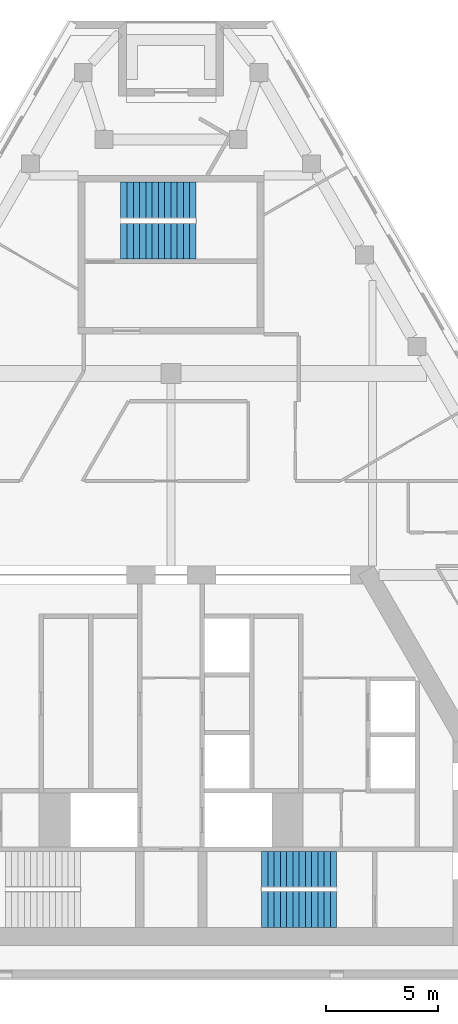
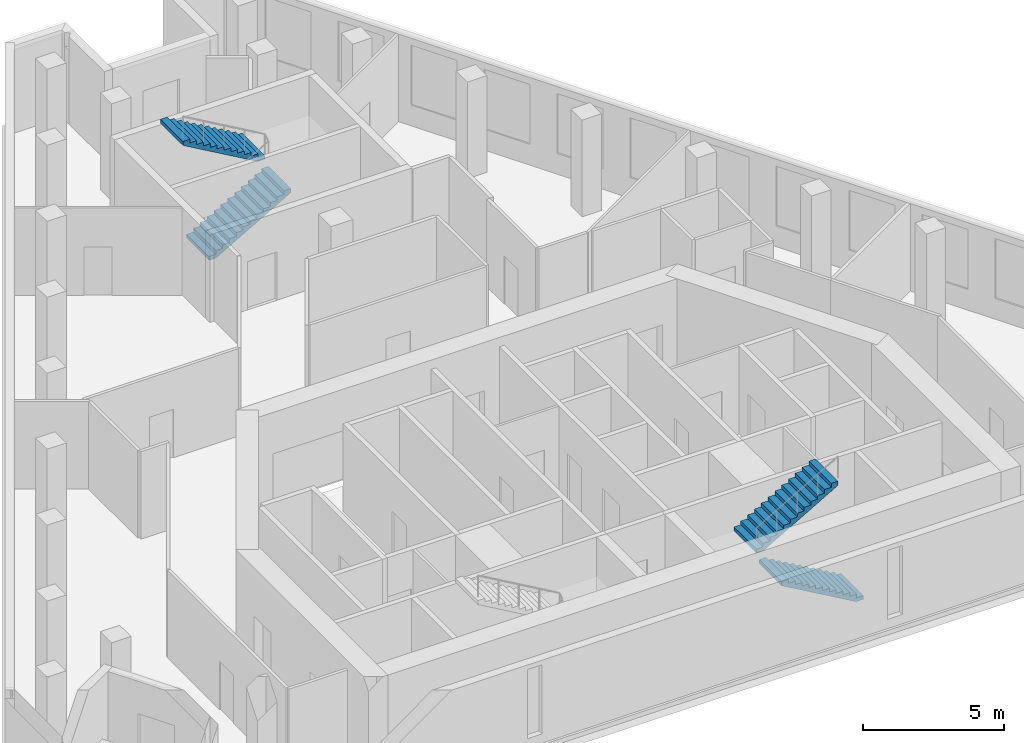
# One storey, part 7 of 8: 4 stair flights, 2 elements without a shape of their own.
"""IFC4 building model written with IfcOpenShell, lengths in metres."""

from ifc_helpers import new_model, si_unit, direction, frame, origin, place, context, subcontext, project, spatial, polyline, outline, extrude, material, type_object, element, aggregate, save


model = new_model("IFC4")

# Units and contexts
model_context = context("Model", 3, precision=1e-05, world=origin(), true_north=direction((0.0, 1.0)))
body_context = subcontext(model_context, "Body", "Model", "MODEL_VIEW")
ifc_project = project(units=[si_unit("LENGTHUNIT", "METRE"), si_unit("AREAUNIT", "SQUARE_METRE"), si_unit("VOLUMEUNIT", "CUBIC_METRE"), si_unit("PLANEANGLEUNIT", "RADIAN"), si_unit("MASSUNIT", "GRAM", prefix="KILO")], contexts=[model_context])

# Site, building, storey
site_placement = place(None, origin())
site = spatial("IfcSite", under=ifc_project, at=site_placement, CompositionType="ELEMENT")
building_placement = place(site_placement, origin())
building = spatial("IfcBuilding", under=site, at=building_placement, Name="Fogline Exchange Tower", CompositionType="ELEMENT")
storey_placement = place(building_placement, frame((0.0, 0.0, 318.300048828125)))
storey = spatial("IfcBuildingStorey", under=building, at=storey_placement, Name="L72", CompositionType="ELEMENT", Elevation=318.300048828125)

# Stair, stair flights
ifc_material = material(Name="Concrete C40", Category="concrete")
stair_type = type_object("IfcStairType", Name="STR26-1615", PredefinedType="HALF_TURN_STAIR", material=ifc_material)
stair_1_placement = place(storey_placement, origin())
stair_1 = element("IfcStair", 1, at=stair_1_placement, inside=storey, type_object=stair_type, Name="Stair ST2", PredefinedType="HALF_TURN_STAIR")
stair_flight_type = type_object("IfcStairFlightType", Name="SF13-1615", PredefinedType="STRAIGHT", material=ifc_material)
stair_flight_1_placement = place(storey_placement, frame((7.39990234375, 3.050048828125, 0.0), z_axis=(0.0, 0.0, 1.0), x_axis=(-1.0, 0.0, 0.0)))
stair_flight_1 = element("IfcStairFlight", 2, at=stair_flight_1_placement, type_object=stair_flight_type, Name="ST2 flight 1", NumberOfRisers=13, NumberOfTreads=12, PredefinedType="STRAIGHT", RiserHeight=0.161538462, TreadLength=0.28, context=body_context, shape_type="SweptSolid", body=[
    extrude(outline(polyline([(0.0, 0.0), (0.0, 0.16162109375), (0.280029296875, 0.16162109375), (0.280029296875, 0.322998046875), (0.56005859375, 0.322998046875), (0.56005859375, 0.484619140625), (0.840087890625, 0.484619140625), (0.840087890625, 0.646240234375), (1.1201171875, 0.646240234375), (1.1201171875, 0.8076171875), (1.39990234375, 0.8076171875), (1.39990234375, 0.96923828125), (1.679931640625, 0.96923828125), (1.679931640625, 1.130859375), (1.9599609375, 1.130859375), (1.9599609375, 1.292236328125), (2.239990234375, 1.292236328125), (2.239990234375, 1.453857421875), (2.52001953125, 1.453857421875), (2.52001953125, 1.615478515625), (2.800048828125, 1.615478515625), (2.800048828125, 1.77685546875), (3.080078125, 1.77685546875), (3.080078125, 1.9384765625), (3.360107421875, 1.9384765625), (3.360107421875, 2.10009765625), (3.360107421875, 1.765380859375), (0.300048828125, 0.0), (0.0, 0.0)])), frame((0.0, 0.800048828125, 0.0), z_axis=(0.0, -1.0, 0.0), x_axis=(1.0, 0.0, 0.0)), (0.0, 0.0, 1.0), 1.60009765625),
])
stair_flight_2_placement = place(storey_placement, frame((4.0400390625, 4.85009765625, 2.099853515625), z_axis=(0.0, 0.0, 1.0), x_axis=(1.0, 0.0, 0.0)))
stair_flight_2 = element("IfcStairFlight", 3, at=stair_flight_2_placement, type_object=stair_flight_type, Name="ST2 flight 2", NumberOfRisers=13, NumberOfTreads=12, PredefinedType="STRAIGHT", RiserHeight=0.161538462, TreadLength=0.28, context=body_context, shape_type="SweptSolid", body=[
    extrude(outline(polyline([(0.0, 0.0), (0.0, 0.16162109375), (0.280029296875, 0.16162109375), (0.280029296875, 0.322998046875), (0.56005859375, 0.322998046875), (0.56005859375, 0.484619140625), (0.840087890625, 0.484619140625), (0.840087890625, 0.646240234375), (1.1201171875, 0.646240234375), (1.1201171875, 0.8076171875), (1.39990234375, 0.8076171875), (1.39990234375, 0.96923828125), (1.679931640625, 0.96923828125), (1.679931640625, 1.130859375), (1.9599609375, 1.130859375), (1.9599609375, 1.292236328125), (2.239990234375, 1.292236328125), (2.239990234375, 1.453857421875), (2.52001953125, 1.453857421875), (2.52001953125, 1.615478515625), (2.800048828125, 1.615478515625), (2.800048828125, 1.77685546875), (3.080078125, 1.77685546875), (3.080078125, 1.9384765625), (3.360107421875, 1.9384765625), (3.360107421875, 2.10009765625), (3.360107421875, 1.765380859375), (0.300048828125, 0.0), (0.0, 0.0)])), frame((0.0, 0.800048828125, 0.0), z_axis=(0.0, -1.0, 0.0), x_axis=(1.0, 0.0, 0.0)), (0.0, 0.0, 1.0), 1.60009765625),
])
aggregate(stair_1, [stair_flight_1, stair_flight_2])

stair_2_placement = place(storey_placement, origin())
stair_2 = element("IfcStair", 4, at=stair_2_placement, inside=storey, type_object=stair_type, Name="Stair ST3", PredefinedType="HALF_TURN_STAIR")
stair_flight_3_placement = place(storey_placement, frame((-2.25, 32.906982421875, 0.0), z_axis=(0.0, 0.0, 1.0), x_axis=(1.0, 0.0, 0.0)))
stair_flight_3 = element("IfcStairFlight", 5, at=stair_flight_3_placement, type_object=stair_flight_type, Name="ST3 flight 1", NumberOfRisers=13, NumberOfTreads=12, PredefinedType="STRAIGHT", RiserHeight=0.161538462, TreadLength=0.28, context=body_context, shape_type="SweptSolid", body=[
    extrude(outline(polyline([(0.0, 0.0), (0.0, 0.16162109375), (0.280029296875, 0.16162109375), (0.280029296875, 0.322998046875), (0.56005859375, 0.322998046875), (0.56005859375, 0.484619140625), (0.840087890625, 0.484619140625), (0.840087890625, 0.646240234375), (1.1201171875, 0.646240234375), (1.1201171875, 0.8076171875), (1.39990234375, 0.8076171875), (1.39990234375, 0.96923828125), (1.679931640625, 0.96923828125), (1.679931640625, 1.130859375), (1.9599609375, 1.130859375), (1.9599609375, 1.292236328125), (2.239990234375, 1.292236328125), (2.239990234375, 1.453857421875), (2.52001953125, 1.453857421875), (2.52001953125, 1.615478515625), (2.800048828125, 1.615478515625), (2.800048828125, 1.77685546875), (3.080078125, 1.77685546875), (3.080078125, 1.9384765625), (3.360107421875, 1.9384765625), (3.360107421875, 2.10009765625), (3.360107421875, 1.765380859375), (0.300048828125, 0.0), (0.0, 0.0)])), frame((0.0, 0.800048828125, 0.0), z_axis=(0.0, -1.0, 0.0), x_axis=(1.0, 0.0, 0.0)), (0.0, 0.0, 1.0), 1.60009765625),
])
stair_flight_4_placement = place(storey_placement, frame((1.110107421875, 34.757080078125, 2.099853515625), z_axis=(0.0, 0.0, 1.0), x_axis=(-1.0, 0.0, 0.0)))
stair_flight_4 = element("IfcStairFlight", 6, at=stair_flight_4_placement, type_object=stair_flight_type, Name="ST3 flight 2", NumberOfRisers=13, NumberOfTreads=12, PredefinedType="STRAIGHT", RiserHeight=0.161538462, TreadLength=0.28, context=body_context, shape_type="SweptSolid", body=[
    extrude(outline(polyline([(0.0, 0.0), (0.0, 0.16162109375), (0.280029296875, 0.16162109375), (0.280029296875, 0.322998046875), (0.56005859375, 0.322998046875), (0.56005859375, 0.484619140625), (0.840087890625, 0.484619140625), (0.840087890625, 0.646240234375), (1.1201171875, 0.646240234375), (1.1201171875, 0.8076171875), (1.39990234375, 0.8076171875), (1.39990234375, 0.96923828125), (1.679931640625, 0.96923828125), (1.679931640625, 1.130859375), (1.9599609375, 1.130859375), (1.9599609375, 1.292236328125), (2.239990234375, 1.292236328125), (2.239990234375, 1.453857421875), (2.52001953125, 1.453857421875), (2.52001953125, 1.615478515625), (2.800048828125, 1.615478515625), (2.800048828125, 1.77685546875), (3.080078125, 1.77685546875), (3.080078125, 1.9384765625), (3.360107421875, 1.9384765625), (3.360107421875, 2.10009765625), (3.360107421875, 1.765380859375), (0.300048828125, 0.0), (0.0, 0.0)])), frame((0.0, 0.800048828125, 0.0), z_axis=(0.0, -1.0, 0.0), x_axis=(1.0, 0.0, 0.0)), (0.0, 0.0, 1.0), 1.60009765625),
])
aggregate(stair_2, [stair_flight_3, stair_flight_4])

save(model, "model.ifc")
